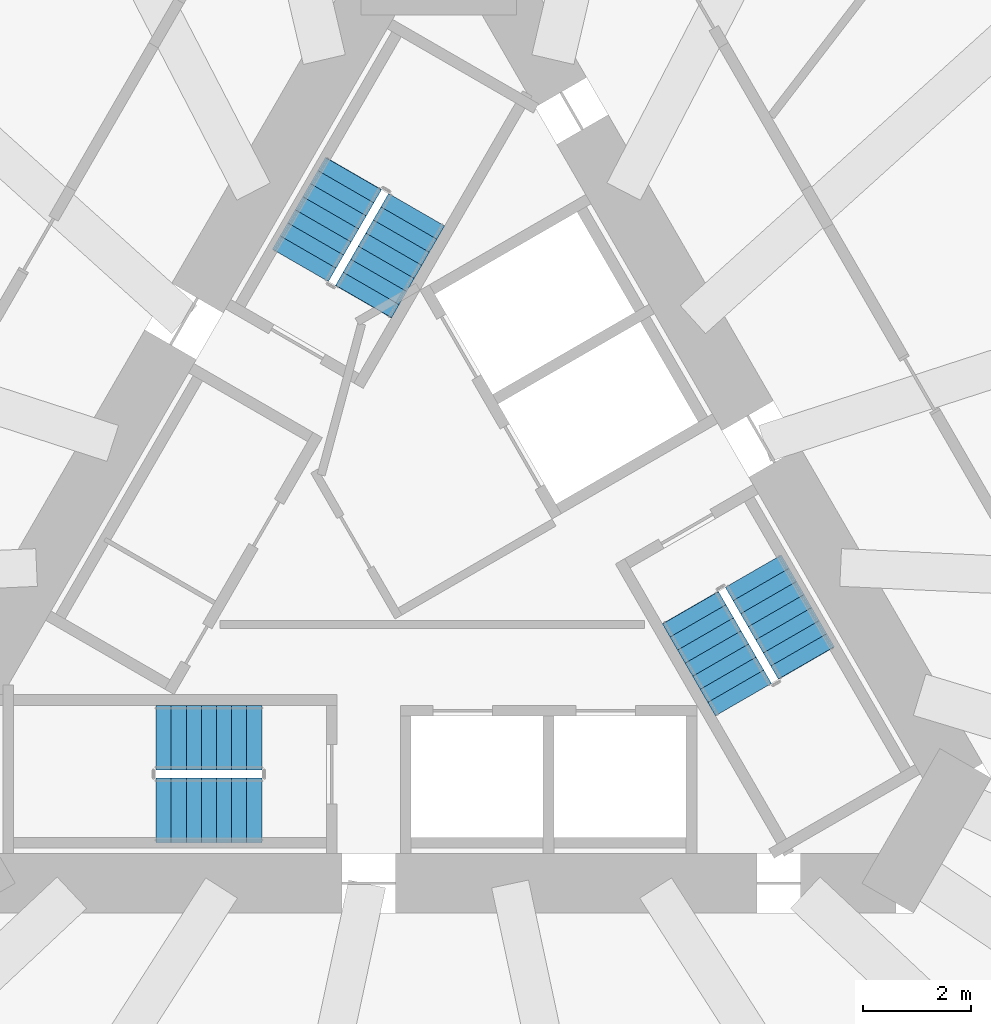
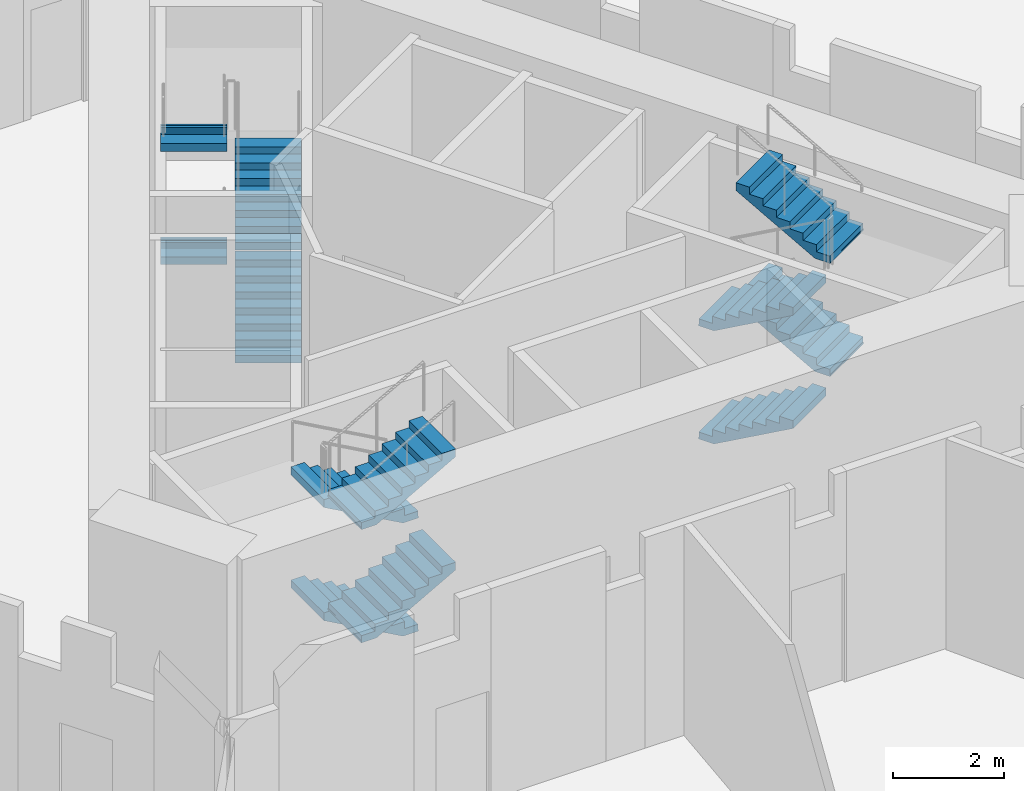
# One storey, part 8 of 12: 12 stair flights, 3 elements without a shape of their own.
"""IFC4 building model written with IfcOpenShell, lengths in metres."""

from ifc_helpers import new_model, si_unit, direction, frame, origin, place, context, subcontext, project, spatial, polyline, outline, extrude, material, layer, layer_set, type_object, element, aggregate, save


model = new_model("IFC4")

# Units and contexts
model_context = context("Model", 3, precision=1e-05, world=origin(), true_north=direction((0.0, 1.0)))
body_context = subcontext(model_context, "Body", "Model", "MODEL_VIEW")
ifc_project = project(units=[si_unit("LENGTHUNIT", "METRE"), si_unit("AREAUNIT", "SQUARE_METRE"), si_unit("VOLUMEUNIT", "CUBIC_METRE"), si_unit("PLANEANGLEUNIT", "RADIAN"), si_unit("MASSUNIT", "GRAM", prefix="KILO")], contexts=[model_context])

# Site, building, storey
site_placement = place(None, origin())
site = spatial("IfcSite", under=ifc_project, at=site_placement, CompositionType="ELEMENT")
building_placement = place(site_placement, origin())
building = spatial("IfcBuilding", under=site, at=building_placement, Name="Tramontana Tower", CompositionType="ELEMENT")
storey_placement = place(building_placement, frame((0.0, 0.0, 25.0)))
storey = spatial("IfcBuildingStorey", under=building, at=storey_placement, Name="L04", CompositionType="ELEMENT", Elevation=25.0)

# Stair, stair flights
ifc_material_1 = material(Name="Concrete 40 MPa", Category="concrete")
stair_type = type_object("IfcStairType", Name="EXIT STAIR 32 RISERS", PredefinedType="HALF_TURN_STAIR", material=ifc_material_1)
stair_1_placement = place(storey_placement, origin())
stair_1 = element("IfcStair", 1, at=stair_1_placement, inside=storey, type_object=stair_type, Name="L04 Exit stair ST1", PredefinedType="HALF_TURN_STAIR")
ifc_material_2 = material(Name="Concrete 40 MPa", Category="concrete")
ifc_layer = layer(ifc_material_2, 0.14990234375)
ifc_layer_set = layer_set([ifc_layer], Name="EXIT STAIR FLIGHT")
stair_flight_type = type_object("IfcStairFlightType", Name="EXIT STAIR FLIGHT", PredefinedType="STRAIGHT", material=ifc_layer_set)
stair_flight_1_placement = place(storey_placement, frame((-1.39111328125, 4.590576171875, 0.0), z_axis=(0.0, 0.0, 1.0), x_axis=(0.5, 0.866025403784, 0.0)))
stair_flight_1 = element("IfcStairFlight", 2, at=stair_flight_1_placement, type_object=stair_flight_type, Name="ST1 flight 1", NumberOfRisers=8, NumberOfTreads=7, PredefinedType="STRAIGHT", RiserHeight=0.15625, TreadLength=0.28, context=body_context, shape_type="SweptSolid", body=[
    extrude(outline(polyline([(-0.006103515625, 0.0), (-0.006103515625, 0.0400390625), (0.0, 0.0400390625), (0.0, 0.15625), (0.280029296875, 0.15625), (0.280029296875, 0.3125), (0.56005859375, 0.3125), (0.56005859375, 0.46875), (0.840087890625, 0.46875), (0.840087890625, 0.625), (1.1201171875, 0.625), (1.1201171875, 0.78125), (1.39990234375, 0.78125), (1.39990234375, 0.9375), (1.679931640625, 0.9375), (1.679931640625, 1.09375), (1.9599609375, 1.09375), (1.966064453125, 1.09375), (1.966064453125, 0.922119140625), (0.313720703125, 0.0), (-0.006103515625, 0.0)])), frame((0.0, 0.60009765625, 0.0), z_axis=(0.0, -1.0, 0.0), x_axis=(1.0, 0.0, 0.0)), (0.0, 0.0, 1.0), 1.199951171875),
])
stair_flight_2_placement = place(storey_placement, frame((-1.580322265625, 6.962890625, 1.25), z_axis=(0.0, 0.0, 1.0), x_axis=(-0.5, -0.866025403784, 0.0)))
stair_flight_2 = element("IfcStairFlight", 3, at=stair_flight_2_placement, type_object=stair_flight_type, Name="ST1 flight 2", NumberOfRisers=8, NumberOfTreads=7, PredefinedType="STRAIGHT", RiserHeight=0.15625, TreadLength=0.28, context=body_context, shape_type="SweptSolid", body=[
    extrude(outline(polyline([(-0.006103515625, 0.0), (-0.006103515625, 0.0400390625), (0.0, 0.0400390625), (0.0, 0.15625), (0.280029296875, 0.15625), (0.280029296875, 0.3125), (0.56005859375, 0.3125), (0.56005859375, 0.46875), (0.840087890625, 0.46875), (0.840087890625, 0.625), (1.1201171875, 0.625), (1.1201171875, 0.78125), (1.39990234375, 0.78125), (1.39990234375, 0.9375), (1.679931640625, 0.9375), (1.679931640625, 1.09375), (1.9599609375, 1.09375), (1.966064453125, 1.09375), (1.966064453125, 0.922119140625), (0.313720703125, 0.0), (-0.006103515625, 0.0)])), frame((0.0, 0.60009765625, 0.0), z_axis=(0.0, -1.0, 0.0), x_axis=(1.0, 0.0, 0.0)), (0.0, 0.0, 1.0), 1.199951171875),
])
stair_flight_3_placement = place(storey_placement, frame((-1.39111328125, 4.590576171875, 2.5), z_axis=(0.0, 0.0, 1.0), x_axis=(0.5, 0.866025403784, 0.0)))
stair_flight_3 = element("IfcStairFlight", 4, at=stair_flight_3_placement, type_object=stair_flight_type, Name="ST1 flight 3", NumberOfRisers=8, NumberOfTreads=7, PredefinedType="STRAIGHT", RiserHeight=0.15625, TreadLength=0.28, context=body_context, shape_type="SweptSolid", body=[
    extrude(outline(polyline([(-0.006103515625, 0.0), (-0.006103515625, 0.0400390625), (0.0, 0.0400390625), (0.0, 0.15625), (0.280029296875, 0.15625), (0.280029296875, 0.3125), (0.56005859375, 0.3125), (0.56005859375, 0.46875), (0.840087890625, 0.46875), (0.840087890625, 0.625), (1.1201171875, 0.625), (1.1201171875, 0.78125), (1.39990234375, 0.78125), (1.39990234375, 0.9375), (1.679931640625, 0.9375), (1.679931640625, 1.09375), (1.9599609375, 1.09375), (1.966064453125, 1.09375), (1.966064453125, 0.922119140625), (0.313720703125, 0.0), (-0.006103515625, 0.0)])), frame((0.0, 0.60009765625, 0.0), z_axis=(0.0, -1.0, 0.0), x_axis=(1.0, 0.0, 0.0)), (0.0, 0.0, 1.0), 1.199951171875),
])
stair_flight_4_placement = place(storey_placement, frame((-1.580322265625, 6.962890625, 3.75), z_axis=(0.0, 0.0, 1.0), x_axis=(-0.5, -0.866025403784, 0.0)))
stair_flight_4 = element("IfcStairFlight", 5, at=stair_flight_4_placement, type_object=stair_flight_type, Name="ST1 flight 4", NumberOfRisers=8, NumberOfTreads=7, PredefinedType="STRAIGHT", RiserHeight=0.15625, TreadLength=0.28, context=body_context, shape_type="SweptSolid", body=[
    extrude(outline(polyline([(-0.006103515625, 0.0), (-0.006103515625, 0.0400390625), (0.0, 0.0400390625), (0.0, 0.15625), (0.280029296875, 0.15625), (0.280029296875, 0.3125), (0.56005859375, 0.3125), (0.56005859375, 0.46875), (0.840087890625, 0.46875), (0.840087890625, 0.625), (1.1201171875, 0.625), (1.1201171875, 0.78125), (1.39990234375, 0.78125), (1.39990234375, 0.9375), (1.679931640625, 0.9375), (1.679931640625, 1.09375), (1.9599609375, 1.09375), (1.966064453125, 1.09375), (1.966064453125, 0.922119140625), (0.313720703125, 0.0), (-0.006103515625, 0.0)])), frame((0.0, 0.60009765625, 0.0), z_axis=(0.0, -1.0, 0.0), x_axis=(1.0, 0.0, 0.0)), (0.0, 0.0, 1.0), 1.199951171875),
])
aggregate(stair_1, [stair_flight_1, stair_flight_2, stair_flight_3, stair_flight_4])

stair_2_placement = place(storey_placement, origin())
stair_2 = element("IfcStair", 6, at=stair_2_placement, inside=storey, type_object=stair_type, Name="L04 Exit stair ST2", PredefinedType="HALF_TURN_STAIR")
stair_flight_5_placement = place(storey_placement, frame((-3.280029296875, -3.5, 0.0), z_axis=(0.0, 0.0, 1.0), x_axis=(-1.0, 0.0, 0.0)))
stair_flight_5 = element("IfcStairFlight", 7, at=stair_flight_5_placement, type_object=stair_flight_type, Name="ST2 flight 1", NumberOfRisers=8, NumberOfTreads=7, PredefinedType="STRAIGHT", RiserHeight=0.15625, TreadLength=0.28, context=body_context, shape_type="SweptSolid", body=[
    extrude(outline(polyline([(-0.006103515625, 0.0), (-0.006103515625, 0.0400390625), (0.0, 0.0400390625), (0.0, 0.15625), (0.280029296875, 0.15625), (0.280029296875, 0.3125), (0.56005859375, 0.3125), (0.56005859375, 0.46875), (0.840087890625, 0.46875), (0.840087890625, 0.625), (1.1201171875, 0.625), (1.1201171875, 0.78125), (1.39990234375, 0.78125), (1.39990234375, 0.9375), (1.679931640625, 0.9375), (1.679931640625, 1.09375), (1.9599609375, 1.09375), (1.966064453125, 1.09375), (1.966064453125, 0.922119140625), (0.313720703125, 0.0), (-0.006103515625, 0.0)])), frame((0.0, 0.60009765625, 0.0), z_axis=(0.0, -1.0, 0.0), x_axis=(1.0, 0.0, 0.0)), (0.0, 0.0, 1.0), 1.199951171875),
])
stair_flight_6_placement = place(storey_placement, frame((-5.239990234375, -4.85009765625, 1.25), z_axis=(0.0, 0.0, 1.0), x_axis=(1.0, 0.0, 0.0)))
stair_flight_6 = element("IfcStairFlight", 8, at=stair_flight_6_placement, type_object=stair_flight_type, Name="ST2 flight 2", NumberOfRisers=8, NumberOfTreads=7, PredefinedType="STRAIGHT", RiserHeight=0.15625, TreadLength=0.28, context=body_context, shape_type="SweptSolid", body=[
    extrude(outline(polyline([(-0.006103515625, 0.0), (-0.006103515625, 0.0400390625), (0.0, 0.0400390625), (0.0, 0.15625), (0.280029296875, 0.15625), (0.280029296875, 0.3125), (0.56005859375, 0.3125), (0.56005859375, 0.46875), (0.840087890625, 0.46875), (0.840087890625, 0.625), (1.1201171875, 0.625), (1.1201171875, 0.78125), (1.39990234375, 0.78125), (1.39990234375, 0.9375), (1.679931640625, 0.9375), (1.679931640625, 1.09375), (1.9599609375, 1.09375), (1.966064453125, 1.09375), (1.966064453125, 0.922119140625), (0.313720703125, 0.0), (-0.006103515625, 0.0)])), frame((0.0, 0.60009765625, 0.0), z_axis=(0.0, -1.0, 0.0), x_axis=(1.0, 0.0, 0.0)), (0.0, 0.0, 1.0), 1.199951171875),
])
stair_flight_7_placement = place(storey_placement, frame((-3.280029296875, -3.5, 2.5), z_axis=(0.0, 0.0, 1.0), x_axis=(-1.0, 0.0, 0.0)))
stair_flight_7 = element("IfcStairFlight", 9, at=stair_flight_7_placement, type_object=stair_flight_type, Name="ST2 flight 3", NumberOfRisers=8, NumberOfTreads=7, PredefinedType="STRAIGHT", RiserHeight=0.15625, TreadLength=0.28, context=body_context, shape_type="SweptSolid", body=[
    extrude(outline(polyline([(-0.006103515625, 0.0), (-0.006103515625, 0.0400390625), (0.0, 0.0400390625), (0.0, 0.15625), (0.280029296875, 0.15625), (0.280029296875, 0.3125), (0.56005859375, 0.3125), (0.56005859375, 0.46875), (0.840087890625, 0.46875), (0.840087890625, 0.625), (1.1201171875, 0.625), (1.1201171875, 0.78125), (1.39990234375, 0.78125), (1.39990234375, 0.9375), (1.679931640625, 0.9375), (1.679931640625, 1.09375), (1.9599609375, 1.09375), (1.966064453125, 1.09375), (1.966064453125, 0.922119140625), (0.313720703125, 0.0), (-0.006103515625, 0.0)])), frame((0.0, 0.60009765625, 0.0), z_axis=(0.0, -1.0, 0.0), x_axis=(1.0, 0.0, 0.0)), (0.0, 0.0, 1.0), 1.199951171875),
])
stair_flight_8_placement = place(storey_placement, frame((-5.239990234375, -4.85009765625, 3.75), z_axis=(0.0, 0.0, 1.0), x_axis=(1.0, 0.0, 0.0)))
stair_flight_8 = element("IfcStairFlight", 10, at=stair_flight_8_placement, type_object=stair_flight_type, Name="ST2 flight 4", NumberOfRisers=8, NumberOfTreads=7, PredefinedType="STRAIGHT", RiserHeight=0.15625, TreadLength=0.28, context=body_context, shape_type="SweptSolid", body=[
    extrude(outline(polyline([(-0.006103515625, 0.0), (-0.006103515625, 0.0400390625), (0.0, 0.0400390625), (0.0, 0.15625), (0.280029296875, 0.15625), (0.280029296875, 0.3125), (0.56005859375, 0.3125), (0.56005859375, 0.46875), (0.840087890625, 0.46875), (0.840087890625, 0.625), (1.1201171875, 0.625), (1.1201171875, 0.78125), (1.39990234375, 0.78125), (1.39990234375, 0.9375), (1.679931640625, 0.9375), (1.679931640625, 1.09375), (1.9599609375, 1.09375), (1.966064453125, 1.09375), (1.966064453125, 0.922119140625), (0.313720703125, 0.0), (-0.006103515625, 0.0)])), frame((0.0, 0.60009765625, 0.0), z_axis=(0.0, -1.0, 0.0), x_axis=(1.0, 0.0, 0.0)), (0.0, 0.0, 1.0), 1.199951171875),
])
aggregate(stair_2, [stair_flight_5, stair_flight_6, stair_flight_7, stair_flight_8])

stair_3_placement = place(storey_placement, origin())
stair_3 = element("IfcStair", 11, at=stair_3_placement, inside=storey, type_object=stair_type, Name="L04 Exit stair ST3", PredefinedType="HALF_TURN_STAIR")
stair_flight_9_placement = place(storey_placement, frame((4.671142578125, -1.090576171875, 0.0), z_axis=(0.0, 0.0, 1.0), x_axis=(0.5, -0.866025403784, 0.0)))
stair_flight_9 = element("IfcStairFlight", 12, at=stair_flight_9_placement, type_object=stair_flight_type, Name="ST3 flight 1", NumberOfRisers=8, NumberOfTreads=7, PredefinedType="STRAIGHT", RiserHeight=0.15625, TreadLength=0.28, context=body_context, shape_type="SweptSolid", body=[
    extrude(outline(polyline([(-0.006103515625, 0.0), (-0.006103515625, 0.0400390625), (0.0, 0.0400390625), (0.0, 0.15625), (0.280029296875, 0.15625), (0.280029296875, 0.3125), (0.56005859375, 0.3125), (0.56005859375, 0.46875), (0.840087890625, 0.46875), (0.840087890625, 0.625), (1.1201171875, 0.625), (1.1201171875, 0.78125), (1.39990234375, 0.78125), (1.39990234375, 0.9375), (1.679931640625, 0.9375), (1.679931640625, 1.09375), (1.9599609375, 1.09375), (1.966064453125, 1.09375), (1.966064453125, 0.922119140625), (0.313720703125, 0.0), (-0.006103515625, 0.0)])), frame((0.0, 0.60009765625, 0.0), z_axis=(0.0, -1.0, 0.0), x_axis=(1.0, 0.0, 0.0)), (0.0, 0.0, 1.0), 1.199951171875),
])
stair_flight_10_placement = place(storey_placement, frame((6.8203125, -2.113037109375, 1.25), z_axis=(0.0, 0.0, 1.0), x_axis=(-0.5, 0.866025403784, 0.0)))
stair_flight_10 = element("IfcStairFlight", 13, at=stair_flight_10_placement, type_object=stair_flight_type, Name="ST3 flight 2", NumberOfRisers=8, NumberOfTreads=7, PredefinedType="STRAIGHT", RiserHeight=0.15625, TreadLength=0.28, context=body_context, shape_type="SweptSolid", body=[
    extrude(outline(polyline([(-0.006103515625, 0.0), (-0.006103515625, 0.0400390625), (0.0, 0.0400390625), (0.0, 0.15625), (0.280029296875, 0.15625), (0.280029296875, 0.3125), (0.56005859375, 0.3125), (0.56005859375, 0.46875), (0.840087890625, 0.46875), (0.840087890625, 0.625), (1.1201171875, 0.625), (1.1201171875, 0.78125), (1.39990234375, 0.78125), (1.39990234375, 0.9375), (1.679931640625, 0.9375), (1.679931640625, 1.09375), (1.9599609375, 1.09375), (1.966064453125, 1.09375), (1.966064453125, 0.922119140625), (0.313720703125, 0.0), (-0.006103515625, 0.0)])), frame((0.0, 0.60009765625, 0.0), z_axis=(0.0, -1.0, 0.0), x_axis=(1.0, 0.0, 0.0)), (0.0, 0.0, 1.0), 1.199951171875),
])
stair_flight_11_placement = place(storey_placement, frame((4.671142578125, -1.090576171875, 2.5), z_axis=(0.0, 0.0, 1.0), x_axis=(0.5, -0.866025403784, 0.0)))
stair_flight_11 = element("IfcStairFlight", 14, at=stair_flight_11_placement, type_object=stair_flight_type, Name="ST3 flight 3", NumberOfRisers=8, NumberOfTreads=7, PredefinedType="STRAIGHT", RiserHeight=0.15625, TreadLength=0.28, context=body_context, shape_type="SweptSolid", body=[
    extrude(outline(polyline([(-0.006103515625, 0.0), (-0.006103515625, 0.0400390625), (0.0, 0.0400390625), (0.0, 0.15625), (0.280029296875, 0.15625), (0.280029296875, 0.3125), (0.56005859375, 0.3125), (0.56005859375, 0.46875), (0.840087890625, 0.46875), (0.840087890625, 0.625), (1.1201171875, 0.625), (1.1201171875, 0.78125), (1.39990234375, 0.78125), (1.39990234375, 0.9375), (1.679931640625, 0.9375), (1.679931640625, 1.09375), (1.9599609375, 1.09375), (1.966064453125, 1.09375), (1.966064453125, 0.922119140625), (0.313720703125, 0.0), (-0.006103515625, 0.0)])), frame((0.0, 0.60009765625, 0.0), z_axis=(0.0, -1.0, 0.0), x_axis=(1.0, 0.0, 0.0)), (0.0, 0.0, 1.0), 1.199951171875),
])
stair_flight_12_placement = place(storey_placement, frame((6.8203125, -2.113037109375, 3.75), z_axis=(0.0, 0.0, 1.0), x_axis=(-0.5, 0.866025403784, 0.0)))
stair_flight_12 = element("IfcStairFlight", 15, at=stair_flight_12_placement, type_object=stair_flight_type, Name="ST3 flight 4", NumberOfRisers=8, NumberOfTreads=7, PredefinedType="STRAIGHT", RiserHeight=0.15625, TreadLength=0.28, context=body_context, shape_type="SweptSolid", body=[
    extrude(outline(polyline([(-0.006103515625, 0.0), (-0.006103515625, 0.0400390625), (0.0, 0.0400390625), (0.0, 0.15625), (0.280029296875, 0.15625), (0.280029296875, 0.3125), (0.56005859375, 0.3125), (0.56005859375, 0.46875), (0.840087890625, 0.46875), (0.840087890625, 0.625), (1.1201171875, 0.625), (1.1201171875, 0.78125), (1.39990234375, 0.78125), (1.39990234375, 0.9375), (1.679931640625, 0.9375), (1.679931640625, 1.09375), (1.9599609375, 1.09375), (1.966064453125, 1.09375), (1.966064453125, 0.922119140625), (0.313720703125, 0.0), (-0.006103515625, 0.0)])), frame((0.0, 0.60009765625, 0.0), z_axis=(0.0, -1.0, 0.0), x_axis=(1.0, 0.0, 0.0)), (0.0, 0.0, 1.0), 1.199951171875),
])
aggregate(stair_3, [stair_flight_9, stair_flight_10, stair_flight_11, stair_flight_12])

save(model, "model.ifc")
